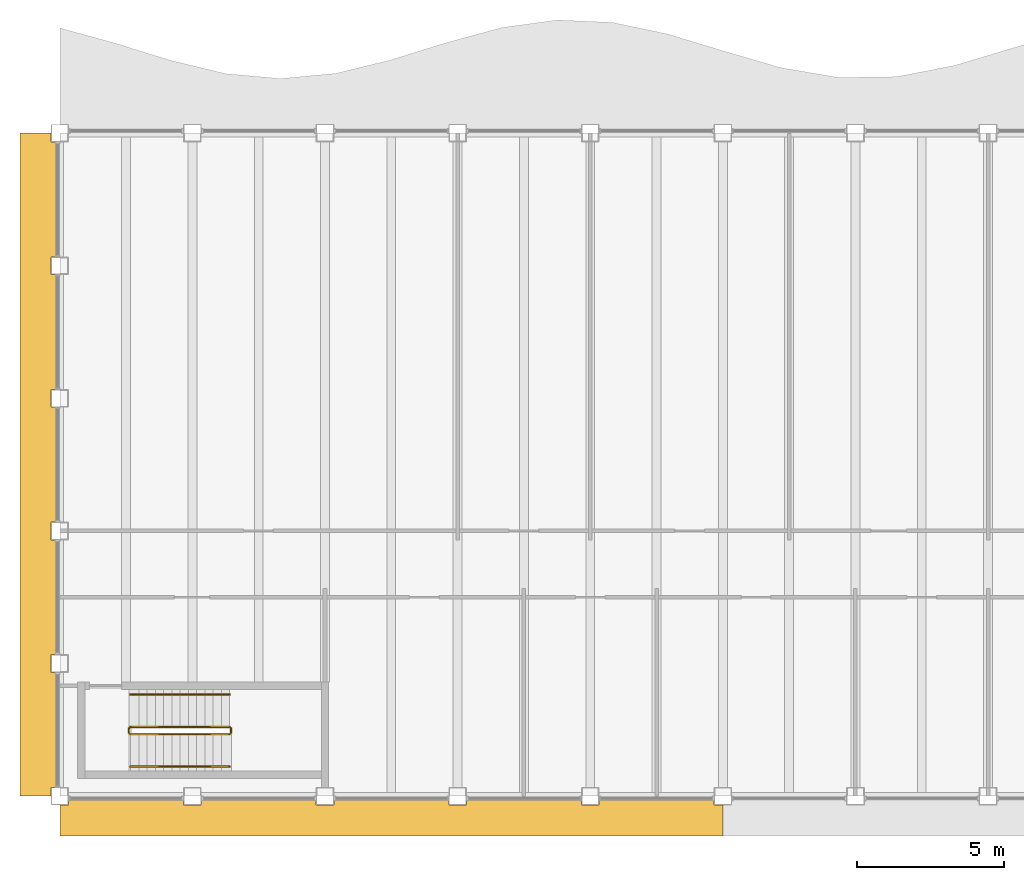
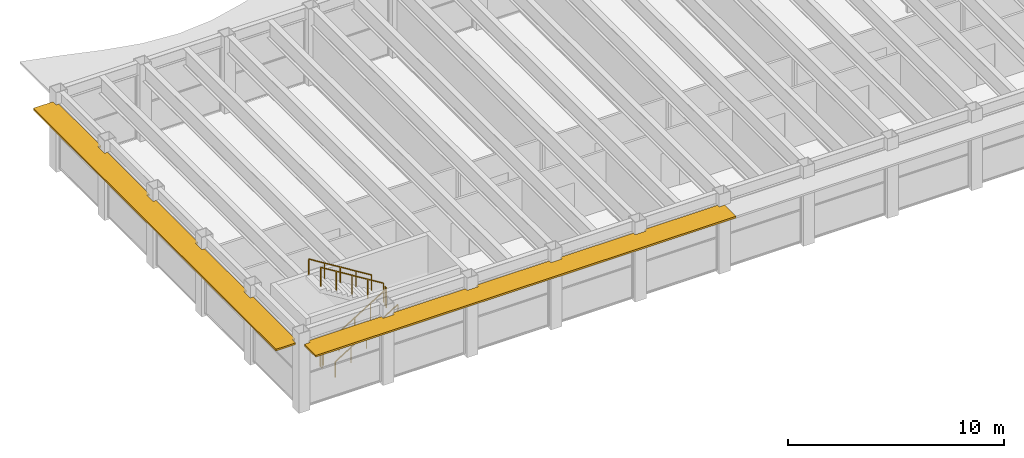
# One storey, part 12 of 14: 6 railings, 2 shading devices.
"""IFC4 building model written with IfcOpenShell, lengths in metres."""

from ifc_helpers import new_model, si_unit, direction, frame, origin, origin_2d, place, context, subcontext, project, spatial, polyline, rectangle, outline, extrude, material, layer, layer_set, type_object, element, save


model = new_model("IFC4")

# Units and contexts
model_context = context("Model", 3, precision=1e-05, world=origin(), true_north=direction((0.0, 1.0)))
body_context = subcontext(model_context, "Body", "Model", "MODEL_VIEW")
ifc_project = project(units=[si_unit("LENGTHUNIT", "METRE"), si_unit("AREAUNIT", "SQUARE_METRE"), si_unit("VOLUMEUNIT", "CUBIC_METRE"), si_unit("PLANEANGLEUNIT", "RADIAN"), si_unit("MASSUNIT", "GRAM", prefix="KILO")], contexts=[model_context])

# Site, building, storey
site_placement = place(None, origin())
site = spatial("IfcSite", under=ifc_project, at=site_placement, CompositionType="ELEMENT")
building_placement = place(site_placement, origin())
building = spatial("IfcBuilding", under=site, at=building_placement, Name="Sennacour Bend Tower", CompositionType="ELEMENT")
storey_placement = place(building_placement, frame((0.0, 0.0, 336.5)))
storey = spatial("IfcBuildingStorey", under=building, at=storey_placement, Name="L77", CompositionType="ELEMENT", Elevation=336.5)

# Railings
ifc_material_1 = material(Name="Stainless steel", Category="steel")
railing_type_1 = type_object("IfcRailingType", Name="RL-GUARD-1100", PredefinedType="GUARDRAIL", material=ifc_material_1)
railing_1_placement = place(storey_placement, frame((2.39990234375, 2.10009765625, 0.173095703125)))
element("IfcRailing", 1, at=railing_1_placement, inside=storey, type_object=railing_type_1, Name="L77 SK1 stair guard 1", PredefinedType="GUARDRAIL", context=body_context, shape_type="SweptSolid", body=[
    extrude(rectangle(XDim=0.048095703125, YDim=0.048095703125, at=origin_2d()), frame((0.0, 0.0, 1.076171875), z_axis=(0.850623216509, 0.0, 0.525775754039), x_axis=(0.0, 1.0, 0.0)), (0.0, 0.0, 1.0), 3.9501953125),
    extrude(rectangle(XDim=0.0419921875, YDim=0.0419921875, at=origin_2d()), origin(), (0.0, 0.0, 1.0), 1.052001953125),
    extrude(rectangle(XDim=0.0419921875, YDim=0.0419921875, at=origin_2d()), frame((0.840087890625, 0.0, 0.519287109375)), (0.0, 0.0, 1.0), 1.052001953125),
    extrude(rectangle(XDim=0.0419921875, YDim=0.0419921875, at=origin_2d()), frame((1.68017578125, 0.0, 1.03857421875)), (0.0, 0.0, 1.0), 1.052001953125),
    extrude(rectangle(XDim=0.0419921875, YDim=0.0419921875, at=origin_2d()), frame((2.52001953125, 0.0, 1.5576171875)), (0.0, 0.0, 1.0), 1.052001953125),
    extrude(rectangle(XDim=0.0419921875, YDim=0.0419921875, at=origin_2d()), frame((3.360107421875, 0.0, 2.076904296875)), (0.0, 0.0, 1.0), 1.052001953125),
])
railing_2_placement = place(storey_placement, frame((5.81005859375, 2.14990234375, 2.25)))
element("IfcRailing", 2, at=railing_2_placement, inside=storey, type_object=railing_type_1, Name="L77 SK1 stair guard 2", PredefinedType="GUARDRAIL", context=body_context, shape_type="SweptSolid", body=[
    extrude(rectangle(XDim=0.048095703125, YDim=0.048095703125, at=origin_2d()), frame((0.0, 0.0, 1.076171875), z_axis=(0.0, 1.0, 0.0), x_axis=(-1.0, 0.0, 0.0)), (0.0, 0.0, 1.0), 0.150146484375),
    extrude(rectangle(XDim=0.0419921875, YDim=0.0419921875, at=origin_2d()), origin(), (0.0, 0.0, 1.0), 1.052001953125),
    extrude(rectangle(XDim=0.0419921875, YDim=0.0419921875, at=origin_2d()), frame((0.0, 0.150146484375, 0.0)), (0.0, 0.0, 1.0), 1.052001953125),
])
railing_3_placement = place(storey_placement, frame((5.760009765625, 2.35009765625, 2.423095703125)))
element("IfcRailing", 3, at=railing_3_placement, inside=storey, type_object=railing_type_1, Name="L77 SK1 stair guard 3", PredefinedType="GUARDRAIL", context=body_context, shape_type="SweptSolid", body=[
    extrude(rectangle(XDim=0.048095703125, YDim=0.048095703125, at=origin_2d()), frame((0.0, 0.0, 1.076171875), z_axis=(-0.850623216509, 0.0, 0.525775754039), x_axis=(0.0, -1.0, 0.0)), (0.0, 0.0, 1.0), 3.9501953125),
    extrude(rectangle(XDim=0.0419921875, YDim=0.0419921875, at=origin_2d()), origin(), (0.0, 0.0, 1.0), 1.052001953125),
    extrude(rectangle(XDim=0.0419921875, YDim=0.0419921875, at=origin_2d()), frame((-0.840087890625, 0.0, 0.519287109375)), (0.0, 0.0, 1.0), 1.052001953125),
    extrude(rectangle(XDim=0.0419921875, YDim=0.0419921875, at=origin_2d()), frame((-1.68017578125, 0.0, 1.03857421875)), (0.0, 0.0, 1.0), 1.052001953125),
    extrude(rectangle(XDim=0.0419921875, YDim=0.0419921875, at=origin_2d()), frame((-2.52001953125, 0.0, 1.5576171875)), (0.0, 0.0, 1.0), 1.052001953125),
    extrude(rectangle(XDim=0.0419921875, YDim=0.0419921875, at=origin_2d()), frame((-3.360107421875, 0.0, 2.076904296875)), (0.0, 0.0, 1.0), 1.052001953125),
])
railing_4_placement = place(storey_placement, frame((2.35009765625, 2.14990234375, 0.0)))
element("IfcRailing", 4, at=railing_4_placement, inside=storey, type_object=railing_type_1, Name="L77 SK1 stair guard 4", PredefinedType="GUARDRAIL", context=body_context, shape_type="SweptSolid", body=[
    extrude(rectangle(XDim=0.048095703125, YDim=0.048095703125, at=origin_2d()), frame((0.0, 0.0, 1.076171875), z_axis=(0.0, 1.0, 0.0), x_axis=(-1.0, 0.0, 0.0)), (0.0, 0.0, 1.0), 0.150146484375),
    extrude(rectangle(XDim=0.0419921875, YDim=0.0419921875, at=origin_2d()), origin(), (0.0, 0.0, 1.0), 1.052001953125),
    extrude(rectangle(XDim=0.0419921875, YDim=0.0419921875, at=origin_2d()), frame((0.0, 0.150146484375, 0.0)), (0.0, 0.0, 1.0), 1.052001953125),
])
railing_type_2 = type_object("IfcRailingType", Name="RL-HANDRAIL-900", PredefinedType="HANDRAIL", material=ifc_material_1)
railing_5_placement = place(storey_placement, frame((2.39990234375, 1.0, 0.173095703125)))
element("IfcRailing", 5, at=railing_5_placement, inside=storey, type_object=railing_type_2, Name="L77 SK1 stair handrail 1", PredefinedType="HANDRAIL", context=body_context, shape_type="SweptSolid", body=[
    extrude(rectangle(XDim=0.048095703125, YDim=0.048095703125, at=origin_2d()), frame((0.0, 0.0, 0.8759765625), z_axis=(0.850623216509, 0.0, 0.525775754039), x_axis=(0.0, 1.0, 0.0)), (0.0, 0.0, 1.0), 3.9501953125),
    extrude(rectangle(XDim=0.0419921875, YDim=0.0419921875, at=origin_2d()), origin(), (0.0, 0.0, 1.0), 0.851806640625),
    extrude(rectangle(XDim=0.0419921875, YDim=0.0419921875, at=origin_2d()), frame((0.840087890625, 0.0, 0.519287109375)), (0.0, 0.0, 1.0), 0.851806640625),
    extrude(rectangle(XDim=0.0419921875, YDim=0.0419921875, at=origin_2d()), frame((1.68017578125, 0.0, 1.03857421875)), (0.0, 0.0, 1.0), 0.851806640625),
    extrude(rectangle(XDim=0.0419921875, YDim=0.0419921875, at=origin_2d()), frame((2.52001953125, 0.0, 1.5576171875)), (0.0, 0.0, 1.0), 0.851806640625),
    extrude(rectangle(XDim=0.0419921875, YDim=0.0419921875, at=origin_2d()), frame((3.360107421875, 0.0, 2.076904296875)), (0.0, 0.0, 1.0), 0.851806640625),
])
railing_6_placement = place(storey_placement, frame((5.760009765625, 3.449951171875, 2.423095703125)))
element("IfcRailing", 6, at=railing_6_placement, inside=storey, type_object=railing_type_2, Name="L77 SK1 stair handrail 2", PredefinedType="HANDRAIL", context=body_context, shape_type="SweptSolid", body=[
    extrude(rectangle(XDim=0.048095703125, YDim=0.048095703125, at=origin_2d()), frame((0.0, 0.0, 0.8759765625), z_axis=(-0.850623216509, 0.0, 0.525775754039), x_axis=(0.0, -1.0, 0.0)), (0.0, 0.0, 1.0), 3.9501953125),
    extrude(rectangle(XDim=0.0419921875, YDim=0.0419921875, at=origin_2d()), origin(), (0.0, 0.0, 1.0), 0.851806640625),
    extrude(rectangle(XDim=0.0419921875, YDim=0.0419921875, at=origin_2d()), frame((-0.840087890625, 0.0, 0.519287109375)), (0.0, 0.0, 1.0), 0.851806640625),
    extrude(rectangle(XDim=0.0419921875, YDim=0.0419921875, at=origin_2d()), frame((-1.68017578125, 0.0, 1.03857421875)), (0.0, 0.0, 1.0), 0.851806640625),
    extrude(rectangle(XDim=0.0419921875, YDim=0.0419921875, at=origin_2d()), frame((-2.52001953125, 0.0, 1.5576171875)), (0.0, 0.0, 1.0), 0.851806640625),
    extrude(rectangle(XDim=0.0419921875, YDim=0.0419921875, at=origin_2d()), frame((-3.360107421875, 0.0, 2.076904296875)), (0.0, 0.0, 1.0), 0.851806640625),
])

# Shading devices
ifc_material_2 = material(Name="Bronze anodised aluminium", Category="aluminium")
ifc_layer = layer(ifc_material_2, 0.10009765625, Name="Bronze anodised aluminium", Category="aluminium")
ifc_layer_set = layer_set([ifc_layer], Name="Bronze anodised aluminium")
shading_device_type = type_object("IfcShadingDeviceType", Name="SUNSHADE BAND STRAIGHT", PredefinedType="USERDEFINED", material=ifc_layer_set)
shading_device_1_placement = place(storey_placement, frame((0.0, 0.0, 3.572021484375)))
element("IfcShadingDevice", 7, at=shading_device_1_placement, inside=storey, type_object=shading_device_type, Name="Sunshade band L77 K outer face", ObjectType="SUNSHADE", PredefinedType="USERDEFINED", context=body_context, shape_type="SweptSolid", body=[
    extrude(outline(polyline([(4.199951171875, -0.14990234375), (4.199951171875, -0.300048828125), (4.800048828125, -0.300048828125), (4.800048828125, -0.14990234375), (8.699951171875, -0.14990234375), (8.699951171875, -0.300048828125), (9.300048828125, -0.300048828125), (9.300048828125, -0.14990234375), (13.199951171875, -0.14990234375), (13.199951171875, -0.300048828125), (13.800048828125, -0.300048828125), (13.800048828125, -0.14990234375), (17.699951171875, -0.14990234375), (17.699951171875, -0.300048828125), (18.300048828125, -0.300048828125), (18.300048828125, -0.14990234375), (22.199951171875, -0.14990234375), (22.199951171875, -0.300048828125), (22.5, -0.300048828125), (22.5, -1.35009765625), (0.0, -1.35009765625), (0.0, -0.300048828125), (0.300048828125, -0.300048828125), (0.300048828125, -0.14990234375), (4.199951171875, -0.14990234375)])), origin(), (0.0, 0.0, 1.0), 0.10009765625),
])
shading_device_2_placement = place(storey_placement, frame((0.0, 0.0, 3.572021484375)))
element("IfcShadingDevice", 8, at=shading_device_2_placement, inside=storey, type_object=shading_device_type, Name="Sunshade band L77 K outer face", ObjectType="SUNSHADE", PredefinedType="USERDEFINED", context=body_context, shape_type="SweptSolid", body=[
    extrude(outline(polyline([(-0.14990234375, 18.300048828125), (-0.300048828125, 18.300048828125), (-0.300048828125, 17.699951171875), (-0.14990234375, 17.699951171875), (-0.14990234375, 13.800048828125), (-0.300048828125, 13.800048828125), (-0.300048828125, 13.199951171875), (-0.14990234375, 13.199951171875), (-0.14990234375, 9.300048828125), (-0.300048828125, 9.300048828125), (-0.300048828125, 8.699951171875), (-0.14990234375, 8.699951171875), (-0.14990234375, 4.800048828125), (-0.300048828125, 4.800048828125), (-0.300048828125, 4.199951171875), (-0.14990234375, 4.199951171875), (-0.14990234375, 0.300048828125), (-0.300048828125, 0.300048828125), (-0.300048828125, 0.0), (-1.35009765625, 0.0), (-1.35009765625, 22.5), (-0.300048828125, 22.5), (-0.300048828125, 22.199951171875), (-0.14990234375, 22.199951171875), (-0.14990234375, 18.300048828125)])), origin(), (0.0, 0.0, 1.0), 0.10009765625),
])

save(model, "model.ifc")
